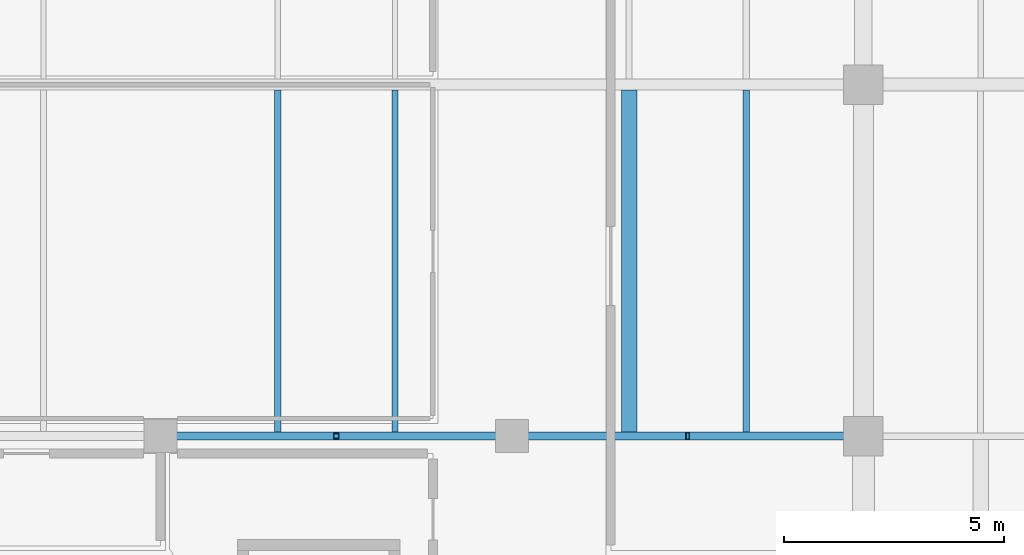
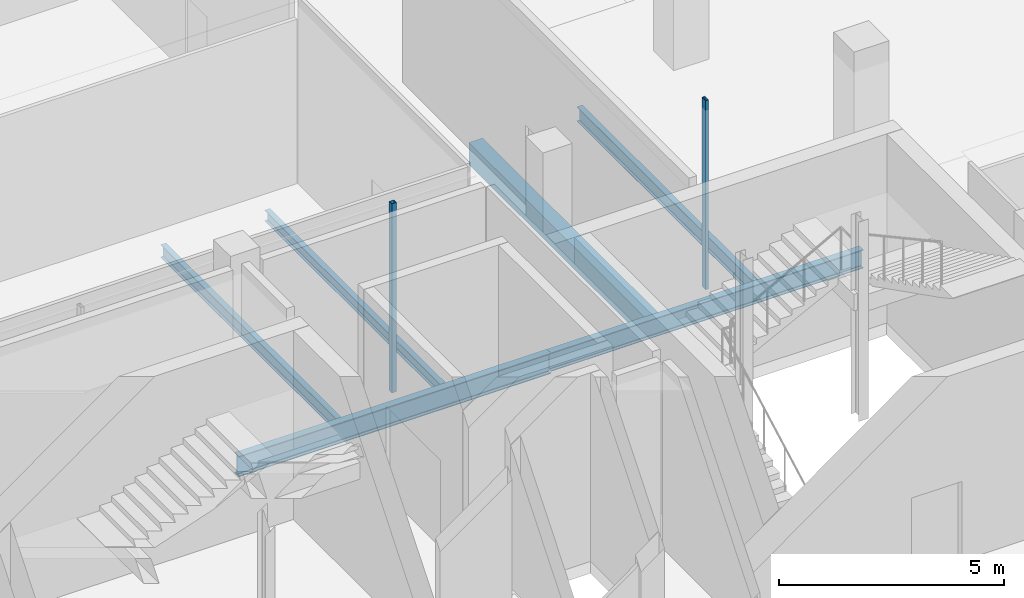
# One storey, part 19 of 57: 6 beams, 2 members.
"""IFC4 building model written with IfcOpenShell, lengths in metres."""

from ifc_helpers import new_model, si_unit, derived_unit, direction, frame, origin, origin_2d, place, context, subcontext, project, spatial, rectangle, hollow_rectangle, i_section, extrude, material, material_profile, profile_set, type_object, element, save


model = new_model("IFC4")

# Units and contexts
model_context = context("Model", 3, precision=1e-05, world=origin(), true_north=direction((0.0, 1.0)))
body_context = subcontext(model_context, "Body", "Model", "MODEL_VIEW")
ifc_project = project(units=[si_unit("LENGTHUNIT", "METRE"), si_unit("AREAUNIT", "SQUARE_METRE"), si_unit("VOLUMEUNIT", "CUBIC_METRE"), si_unit("PLANEANGLEUNIT", "RADIAN"), si_unit("MASSUNIT", "GRAM", prefix="KILO"), derived_unit("THERMALTRANSMITTANCEUNIT", [(si_unit("POWERUNIT", "WATT"), 1), (si_unit("LENGTHUNIT", "METRE"), -2), (si_unit("THERMODYNAMICTEMPERATUREUNIT", "KELVIN"), -1)])], contexts=[model_context])

# Site, building, storey
site_placement = place(None, origin())
site = spatial("IfcSite", under=ifc_project, at=site_placement, CompositionType="ELEMENT")
building_placement = place(site_placement, origin())
building = spatial("IfcBuilding", under=site, at=building_placement, Name="Nallur Shell Playhouse", CompositionType="ELEMENT")
storey_placement = place(building_placement, origin())
storey = spatial("IfcBuildingStorey", under=building, at=storey_placement, Name="L01", CompositionType="ELEMENT", Elevation=0.0)

# Beams
ifc_material_1 = material(Name="Steel E250", Category="steel")
ifc_material_profile_1 = material_profile(ifc_material_1, i_section(OverallWidth=0.139892578125, OverallDepth=0.300048828125, WebThickness=0.0078125, FlangeThickness=0.01318359375, FilletRadius=0.013916015625, at=origin_2d()), Name="ISMB 300")
ifc_profile_set_1 = profile_set([ifc_material_profile_1], Name="Steel E250")
beam_type_1 = type_object("IfcBeamType", Name="BM-JST-ISMB300", PredefinedType="JOIST", material=ifc_profile_set_1)
beam_1_placement = place(storey_placement, frame((29.333251953125, 24.093017578125, -0.469970703125), z_axis=(0.0, 1.0, 0.0), x_axis=(-1.0, 0.0, 0.0)))
element("IfcBeam", 1, at=beam_1_placement, inside=storey, type_object=beam_type_1, Name="L01 secondary joist 3-C-201", PredefinedType="JOIST", context=body_context, shape_type="SweptSolid", body=[
    extrude(i_section(OverallWidth=0.139892578125, OverallDepth=0.300048828125, WebThickness=0.0078125, FlangeThickness=0.01318359375, FilletRadius=0.013916015625, at=origin_2d()), origin(), (0.0, 0.0, 1.0), 7.783935546875),
])
ifc_material_profile_2 = material_profile(ifc_material_1, i_section(OverallWidth=0.139892578125, OverallDepth=0.35009765625, WebThickness=0.008056640625, FlangeThickness=0.01416015625, FilletRadius=0.013916015625, at=origin_2d()), Name="ISMB 350")
ifc_profile_set_2 = profile_set([ifc_material_profile_2], Name="Steel E250")
beam_type_2 = type_object("IfcBeamType", Name="BM-JST-ISMB350", PredefinedType="JOIST", material=ifc_profile_set_2)
beam_2_placement = place(storey_placement, frame((26.666748046875, 24.093017578125, -0.4951171875), z_axis=(0.0, 1.0, 0.0), x_axis=(-1.0, 0.0, 0.0)))
element("IfcBeam", 2, at=beam_2_placement, inside=storey, type_object=beam_type_2, Name="L01 secondary joist 3-C-200", PredefinedType="JOIST", context=body_context, shape_type="SweptSolid", body=[
    extrude(i_section(OverallWidth=0.139892578125, OverallDepth=0.35009765625, WebThickness=0.008056640625, FlangeThickness=0.01416015625, FilletRadius=0.013916015625, at=origin_2d()), origin(), (0.0, 0.0, 1.0), 7.783935546875),
])
ifc_material_profile_3 = material_profile(ifc_material_1, i_section(OverallWidth=0.139892578125, OverallDepth=0.39990234375, WebThickness=0.0087890625, FlangeThickness=0.01611328125, FilletRadius=0.013916015625, at=origin_2d()), Name="ISMB 400")
ifc_profile_set_3 = profile_set([ifc_material_profile_3], Name="Steel E250")
beam_type_3 = type_object("IfcBeamType", Name="BM-JST-ISMB400", PredefinedType="JOIST", material=ifc_profile_set_3)
beam_3_placement = place(storey_placement, frame((37.333251953125, 24.087890625, -0.52001953125), z_axis=(0.0, 1.0, 0.0), x_axis=(-1.0, 0.0, 0.0)))
element("IfcBeam", 3, at=beam_3_placement, inside=storey, type_object=beam_type_3, Name="L01 secondary joist 4-C-211", PredefinedType="JOIST", context=body_context, shape_type="SweptSolid", body=[
    extrude(i_section(OverallWidth=0.139892578125, OverallDepth=0.39990234375, WebThickness=0.0087890625, FlangeThickness=0.01611328125, FilletRadius=0.013916015625, at=origin_2d()), origin(), (0.0, 0.0, 1.0), 7.7890625),
])
ifc_material_2 = material(Name="Concrete M30", Category="concrete")
ifc_material_profile_4 = material_profile(ifc_material_2, rectangle(XDim=0.35009765625, YDim=0.60009765625, at=origin_2d()), Name="RC 350x600")
ifc_profile_set_4 = profile_set([ifc_material_profile_4], Name="Concrete M30")
beam_type_4 = type_object("IfcBeamType", Name="BM-RC-350x600", PredefinedType="JOIST", material=ifc_profile_set_4)
beam_4_placement = place(storey_placement, frame((34.666748046875, 24.087890625, -0.6201171875), z_axis=(0.0, 1.0, 0.0), x_axis=(-1.0, 0.0, 0.0)))
element("IfcBeam", 4, at=beam_4_placement, inside=storey, type_object=beam_type_4, Name="L01 secondary joist 4-C-210", PredefinedType="JOIST", context=body_context, shape_type="SweptSolid", body=[
    extrude(rectangle(XDim=0.35009765625, YDim=0.60009765625, at=origin_2d()), origin(), (0.0, 0.0, 1.0), 7.7890625),
])
ifc_material_3 = material(Name="Steel E350", Category="steel")
ifc_material_profile_5 = material_profile(ifc_material_3, i_section(OverallWidth=0.179931640625, OverallDepth=0.5, WebThickness=0.01025390625, FlangeThickness=0.01708984375, FilletRadius=0.01708984375, at=origin_2d()), Name="ISMB 500")
ifc_profile_set_5 = profile_set([ifc_material_profile_5], Name="Steel E350")
beam_type_5 = type_object("IfcBeamType", Name="BM-ST-ISMB500", PredefinedType="BEAM", material=ifc_profile_set_5)
beam_5_placement = place(storey_placement, frame((32.0, 24.0, -0.570068359375), z_axis=(1.0, 0.0, 0.0), x_axis=(0.0, 1.0, 0.0)))
element("IfcBeam", 5, at=beam_5_placement, inside=storey, type_object=beam_type_5, Name="L01 girder X-C-26", PredefinedType="BEAM", context=body_context, shape_type="SweptSolid", body=[
    extrude(i_section(OverallWidth=0.179931640625, OverallDepth=0.5, WebThickness=0.01025390625, FlangeThickness=0.01708984375, FilletRadius=0.01708984375, at=origin_2d()), origin(), (0.0, 0.0, 1.0), 8.0),
])
ifc_material_profile_6 = material_profile(ifc_material_3, i_section(OverallWidth=0.18994140625, OverallDepth=0.550048828125, WebThickness=0.01123046875, FlangeThickness=0.019287109375, FilletRadius=0.01806640625, at=origin_2d()), Name="ISMB 550")
ifc_profile_set_6 = profile_set([ifc_material_profile_6], Name="Steel E350")
beam_type_6 = type_object("IfcBeamType", Name="BM-ST-ISMB550", PredefinedType="BEAM", material=ifc_profile_set_6)
beam_6_placement = place(storey_placement, frame((24.0, 24.0, -0.594970703125), z_axis=(1.0, 0.0, 0.0), x_axis=(0.0, 1.0, 0.0)))
element("IfcBeam", 6, at=beam_6_placement, inside=storey, type_object=beam_type_6, Name="L01 girder X-C-25", PredefinedType="BEAM", context=body_context, shape_type="SweptSolid", body=[
    extrude(i_section(OverallWidth=0.18994140625, OverallDepth=0.550048828125, WebThickness=0.01123046875, FlangeThickness=0.019287109375, FilletRadius=0.01806640625, at=origin_2d()), origin(), (0.0, 0.0, 1.0), 8.0),
])

# Members
ifc_material_profile_7 = material_profile(ifc_material_1, hollow_rectangle(XDim=0.080078125, YDim=0.159912109375, WallThickness=0.006103515625, at=origin_2d()), Name="RHS 160x80x6")
ifc_profile_set_7 = profile_set([ifc_material_profile_7], Name="Steel E250")
member_type_1 = type_object("IfcMemberType", Name="MB-STUD-RHS160", PredefinedType="STUD", material=ifc_profile_set_7)
member_1_placement = place(storey_placement, frame((36.0, 24.0, 0.0), z_axis=(0.0, 0.0, 1.0), x_axis=(1.0, 0.0, 0.0)))
element("IfcMember", 7, at=member_1_placement, inside=storey, type_object=member_type_1, Name="L01 acoustic isolation wall stud 02", PredefinedType="STUD", context=body_context, shape_type="SweptSolid", body=[
    extrude(hollow_rectangle(XDim=0.080078125, YDim=0.159912109375, WallThickness=0.006103515625, at=origin_2d()), origin(), (0.0, 0.0, 1.0), 5.1201171875),
])
ifc_material_profile_8 = material_profile(ifc_material_1, hollow_rectangle(XDim=0.1201171875, YDim=0.1201171875, WallThickness=0.006103515625, at=origin_2d()), Name="SHS 120x120x6")
ifc_profile_set_8 = profile_set([ifc_material_profile_8], Name="Steel E250")
member_type_2 = type_object("IfcMemberType", Name="MB-STUD-SHS120", PredefinedType="STUD", material=ifc_profile_set_8)
member_2_placement = place(storey_placement, frame((28.0, 24.0, 0.0), z_axis=(0.0, 0.0, 1.0), x_axis=(1.0, 0.0, 0.0)))
element("IfcMember", 8, at=member_2_placement, inside=storey, type_object=member_type_2, Name="L01 acoustic isolation wall stud 01", PredefinedType="STUD", context=body_context, shape_type="SweptSolid", body=[
    extrude(hollow_rectangle(XDim=0.1201171875, YDim=0.1201171875, WallThickness=0.006103515625, at=origin_2d()), origin(), (0.0, 0.0, 1.0), 5.1201171875),
])

save(model, "model.ifc")
